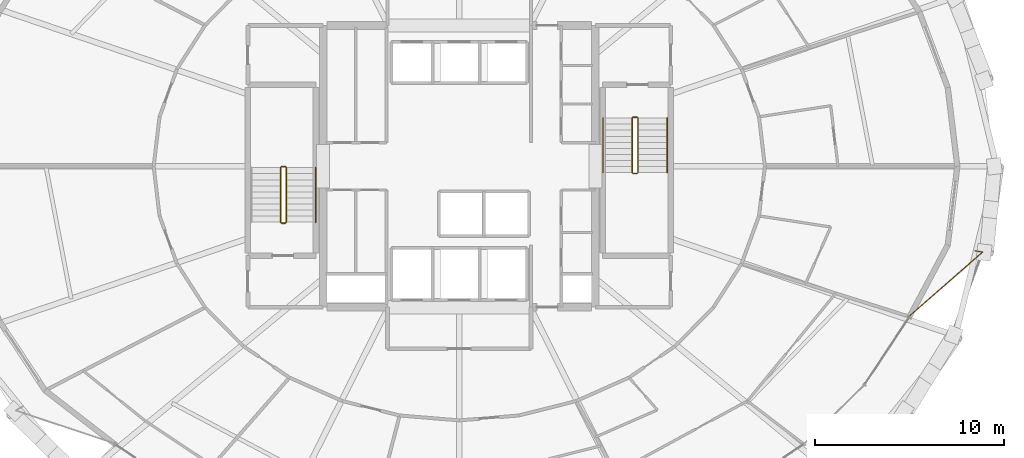
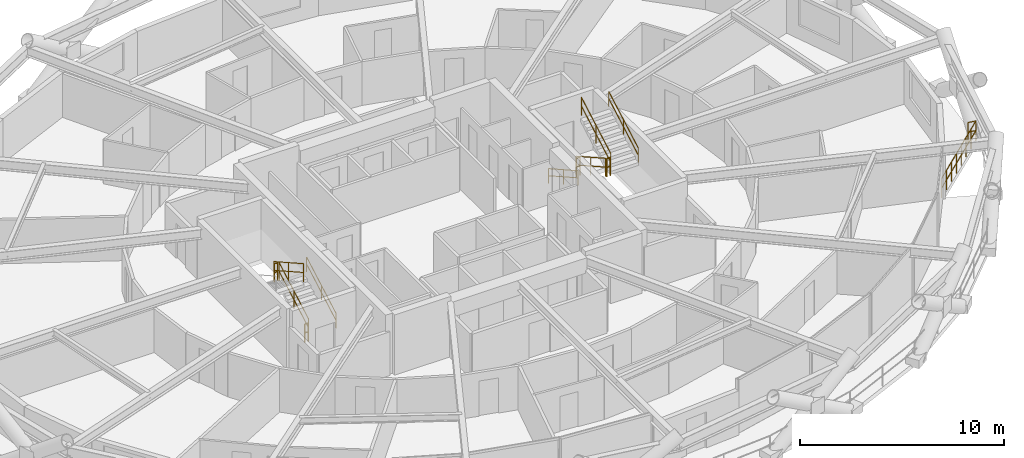
# One storey, part 20 of 20: 12 railings.
"""IFC4 building model written with IfcOpenShell, lengths in metres."""

from ifc_helpers import new_model, si_unit, direction, frame, origin, origin_2d, place, context, subcontext, project, spatial, circle, extrude, material, type_object, element, save


model = new_model("IFC4")

# Units and contexts
model_context = context("Model", 3, precision=1e-05, world=origin(), true_north=direction((0.0, 1.0)))
body_context = subcontext(model_context, "Body", "Model", "MODEL_VIEW")
ifc_project = project(units=[si_unit("LENGTHUNIT", "METRE"), si_unit("AREAUNIT", "SQUARE_METRE"), si_unit("VOLUMEUNIT", "CUBIC_METRE"), si_unit("PLANEANGLEUNIT", "RADIAN"), si_unit("MASSUNIT", "GRAM", prefix="KILO")], contexts=[model_context])

# Site, building, storey
site_placement = place(None, origin())
site = spatial("IfcSite", under=ifc_project, at=site_placement, CompositionType="ELEMENT")
building_placement = place(site_placement, origin())
building = spatial("IfcBuilding", under=site, at=building_placement, Name="Veldorina Hangang Commons", CompositionType="ELEMENT")
storey_placement = place(building_placement, frame((0.0, 0.0, 48.39990234375)))
storey = spatial("IfcBuildingStorey", under=building, at=storey_placement, Name="L11", CompositionType="ELEMENT", Elevation=48.39990234375)

# Railings
ifc_material_1 = material(Name="Glass Laminated Safety Balustrade", Category="glass")
railing_type_1 = type_object("IfcRailingType", Name="RL-BAL-LOGGIA", PredefinedType="BALUSTRADE", material=ifc_material_1)
railing_1_placement = place(storey_placement, frame((59.260986328125, 19.53564453125, 0.0)))
element("IfcRailing", 1, at=railing_1_placement, inside=storey, type_object=railing_type_1, Name="L11 sky-garden loggia end balustrade B", PredefinedType="BALUSTRADE", context=body_context, shape_type="SweptSolid", body=[
    extrude(circle(Radius=0.02392578125, at=origin_2d()), frame((0.0, 0.0, 1.17578125), z_axis=(0.9868459218, -0.161663621839, 0.0), x_axis=(0.161663621839, 0.9868459218, 0.0)), (0.0, 0.0, 1.0), 0.419921875),
    extrude(circle(Radius=0.02392578125, at=origin_2d()), frame((0.0, 0.0, 0.60009765625), z_axis=(0.9868459218, -0.161663621839, 0.0), x_axis=(0.161663621839, 0.9868459218, 0.0)), (0.0, 0.0, 1.0), 0.419921875),
    extrude(circle(Radius=0.02392578125, at=origin_2d()), frame((0.414306640625, -0.06787109375, 1.17578125), z_axis=(-0.752938873256, -0.658090459693, 0.0), x_axis=(0.658090459693, -0.752938873256, 0.0)), (0.0, 0.0, 1.0), 5.17626953125),
    extrude(circle(Radius=0.02392578125, at=origin_2d()), frame((0.414306640625, -0.06787109375, 0.60009765625), z_axis=(-0.752938873256, -0.658090459693, 0.0), x_axis=(0.658090459693, -0.752938873256, 0.0)), (0.0, 0.0, 1.0), 5.17626953125),
    extrude(circle(Radius=0.02099609375, at=origin_2d()), origin(), (0.0, 0.0, 1.0), 1.15185546875),
    extrude(circle(Radius=0.02099609375, at=origin_2d()), frame((0.414306640625, -0.06787109375, 0.0)), (0.0, 0.0, 1.0), 1.15185546875),
    extrude(circle(Radius=0.02099609375, at=origin_2d()), frame((-0.142578125, -0.554443359375, 0.0)), (0.0, 0.0, 1.0), 1.15185546875),
    extrude(circle(Radius=0.02099609375, at=origin_2d()), frame((-0.69921875, -1.041259765625, 0.0)), (0.0, 0.0, 1.0), 1.15185546875),
    extrude(circle(Radius=0.02099609375, at=origin_2d()), frame((-1.256103515625, -1.52783203125, 0.0)), (0.0, 0.0, 1.0), 1.15185546875),
    extrude(circle(Radius=0.02099609375, at=origin_2d()), frame((-1.812744140625, -2.014404296875, 0.0)), (0.0, 0.0, 1.0), 1.15185546875),
    extrude(circle(Radius=0.02099609375, at=origin_2d()), frame((-2.36962890625, -2.5009765625, 0.0)), (0.0, 0.0, 1.0), 1.15185546875),
    extrude(circle(Radius=0.02099609375, at=origin_2d()), frame((-2.92626953125, -2.98779296875, 0.0)), (0.0, 0.0, 1.0), 1.15185546875),
    extrude(circle(Radius=0.02099609375, at=origin_2d()), frame((-3.483154296875, -3.474365234375, 0.0)), (0.0, 0.0, 1.0), 1.15185546875),
])
ifc_material_2 = material(Name="Steel Painted Balustrade", Category="steel")
railing_type_2 = type_object("IfcRailingType", Name="RL-GRD-STAIR", PredefinedType="GUARDRAIL", material=ifc_material_2)
railing_2_placement = place(storey_placement, frame((22.85009765625, 21.050048828125, 0.18017578125)))
element("IfcRailing", 2, at=railing_2_placement, inside=storey, type_object=railing_type_2, Name="L11 ST-1 stair guard 1", PredefinedType="GUARDRAIL", context=body_context, shape_type="SweptSolid", body=[
    extrude(circle(Radius=0.02392578125, at=origin_2d()), frame((0.0, 0.0, 1.076171875), z_axis=(0.0, 0.871583430097, 0.490247207417), x_axis=(-1.0, 0.0, 0.0)), (0.0, 0.0, 1.0), 3.30419921875),
    extrude(circle(Radius=0.02392578125, at=origin_2d()), frame((0.0, 0.0, 0.550048828125), z_axis=(0.0, 0.871583430097, 0.490247207417), x_axis=(-1.0, 0.0, 0.0)), (0.0, 0.0, 1.0), 3.30419921875),
    extrude(circle(Radius=0.02099609375, at=origin_2d()), origin(), (0.0, 0.0, 1.0), 1.052001953125),
    extrude(circle(Radius=0.02099609375, at=origin_2d()), frame((0.0, 1.43994140625, 0.81005859375)), (0.0, 0.0, 1.0), 1.052001953125),
    extrude(circle(Radius=0.02099609375, at=origin_2d()), frame((0.0, 2.8798828125, 1.619873046875)), (0.0, 0.0, 1.0), 1.052001953125),
])
railing_3_placement = place(storey_placement, frame((22.800048828125, 23.97998046875, 1.800048828125)))
element("IfcRailing", 3, at=railing_3_placement, inside=storey, type_object=railing_type_2, Name="L11 ST-1 stair guard 2", PredefinedType="GUARDRAIL", context=body_context, shape_type="SweptSolid", body=[
    extrude(circle(Radius=0.02392578125, at=origin_2d()), frame((0.0, 0.0, 1.076171875), z_axis=(-1.0, 0.0, 0.0), x_axis=(0.0, -1.0, 0.0)), (0.0, 0.0, 1.0), 0.199951171875),
    extrude(circle(Radius=0.02392578125, at=origin_2d()), frame((0.0, 0.0, 0.550048828125), z_axis=(-1.0, 0.0, 0.0), x_axis=(0.0, -1.0, 0.0)), (0.0, 0.0, 1.0), 0.199951171875),
    extrude(circle(Radius=0.02099609375, at=origin_2d()), origin(), (0.0, 0.0, 1.0), 1.052001953125),
    extrude(circle(Radius=0.02099609375, at=origin_2d()), frame((-0.199951171875, 0.0, 0.0)), (0.0, 0.0, 1.0), 1.052001953125),
])
railing_4_placement = place(storey_placement, frame((22.550048828125, 23.929931640625, 1.97998046875)))
element("IfcRailing", 4, at=railing_4_placement, inside=storey, type_object=railing_type_2, Name="L11 ST-1 stair guard 3", PredefinedType="GUARDRAIL", context=body_context, shape_type="SweptSolid", body=[
    extrude(circle(Radius=0.02392578125, at=origin_2d()), frame((0.0, 0.0, 1.076171875), z_axis=(0.0, -0.87155185771, 0.490303333991), x_axis=(1.0, 0.0, 0.0)), (0.0, 0.0, 1.0), 3.30419921875),
    extrude(circle(Radius=0.02392578125, at=origin_2d()), frame((0.0, 0.0, 0.550048828125), z_axis=(0.0, -0.87155185771, 0.490303333991), x_axis=(1.0, 0.0, 0.0)), (0.0, 0.0, 1.0), 3.30419921875),
    extrude(circle(Radius=0.02099609375, at=origin_2d()), origin(), (0.0, 0.0, 1.0), 1.052001953125),
    extrude(circle(Radius=0.02099609375, at=origin_2d()), frame((0.0, -1.43994140625, 0.81005859375)), (0.0, 0.0, 1.0), 1.052001953125),
    extrude(circle(Radius=0.02099609375, at=origin_2d()), frame((0.0, -2.8798828125, 1.6201171875)), (0.0, 0.0, 1.0), 1.052001953125),
])
railing_5_placement = place(storey_placement, frame((22.800048828125, 21.0, 0.0)))
element("IfcRailing", 5, at=railing_5_placement, inside=storey, type_object=railing_type_2, Name="L11 ST-1 stair guard 4", PredefinedType="GUARDRAIL", context=body_context, shape_type="SweptSolid", body=[
    extrude(circle(Radius=0.02392578125, at=origin_2d()), frame((0.0, 0.0, 1.076171875), z_axis=(-1.0, 0.0, 0.0), x_axis=(0.0, -1.0, 0.0)), (0.0, 0.0, 1.0), 0.199951171875),
    extrude(circle(Radius=0.02392578125, at=origin_2d()), frame((0.0, 0.0, 0.550048828125), z_axis=(-1.0, 0.0, 0.0), x_axis=(0.0, -1.0, 0.0)), (0.0, 0.0, 1.0), 0.199951171875),
    extrude(circle(Radius=0.02099609375, at=origin_2d()), origin(), (0.0, 0.0, 1.0), 1.052001953125),
    extrude(circle(Radius=0.02099609375, at=origin_2d()), frame((-0.199951171875, 0.0, 0.0)), (0.0, 0.0, 1.0), 1.052001953125),
])
railing_6_placement = place(storey_placement, frame((41.14990234375, 26.550048828125, 0.18017578125)))
element("IfcRailing", 6, at=railing_6_placement, inside=storey, type_object=railing_type_2, Name="L11 ST-2 stair guard 1", PredefinedType="GUARDRAIL", context=body_context, shape_type="SweptSolid", body=[
    extrude(circle(Radius=0.02392578125, at=origin_2d()), frame((0.0, 0.0, 1.076171875), z_axis=(0.0, -0.871601186807, 0.490215637405), x_axis=(1.0, 0.0, 0.0)), (0.0, 0.0, 1.0), 3.304443359375),
    extrude(circle(Radius=0.02392578125, at=origin_2d()), frame((0.0, 0.0, 0.550048828125), z_axis=(0.0, -0.871601186807, 0.490215637405), x_axis=(1.0, 0.0, 0.0)), (0.0, 0.0, 1.0), 3.304443359375),
    extrude(circle(Radius=0.02099609375, at=origin_2d()), origin(), (0.0, 0.0, 1.0), 1.052001953125),
    extrude(circle(Radius=0.02099609375, at=origin_2d()), frame((0.0, -1.43994140625, 0.81005859375)), (0.0, 0.0, 1.0), 1.052001953125),
    extrude(circle(Radius=0.02099609375, at=origin_2d()), frame((0.0, -2.880126953125, 1.619873046875)), (0.0, 0.0, 1.0), 1.052001953125),
])
railing_7_placement = place(storey_placement, frame((41.199951171875, 23.6201171875, 1.800048828125)))
element("IfcRailing", 7, at=railing_7_placement, inside=storey, type_object=railing_type_2, Name="L11 ST-2 stair guard 2", PredefinedType="GUARDRAIL", context=body_context, shape_type="SweptSolid", body=[
    extrude(circle(Radius=0.02392578125, at=origin_2d()), frame((0.0, 0.0, 1.076171875), z_axis=(1.0, 0.0, 0.0), x_axis=(0.0, 1.0, 0.0)), (0.0, 0.0, 1.0), 0.199951171875),
    extrude(circle(Radius=0.02392578125, at=origin_2d()), frame((0.0, 0.0, 0.550048828125), z_axis=(1.0, 0.0, 0.0), x_axis=(0.0, 1.0, 0.0)), (0.0, 0.0, 1.0), 0.199951171875),
    extrude(circle(Radius=0.02099609375, at=origin_2d()), origin(), (0.0, 0.0, 1.0), 1.052001953125),
    extrude(circle(Radius=0.02099609375, at=origin_2d()), frame((0.199951171875, 0.0, 0.0)), (0.0, 0.0, 1.0), 1.052001953125),
])
railing_8_placement = place(storey_placement, frame((41.449951171875, 23.669921875, 1.97998046875)))
element("IfcRailing", 8, at=railing_8_placement, inside=storey, type_object=railing_type_2, Name="L11 ST-2 stair guard 3", PredefinedType="GUARDRAIL", context=body_context, shape_type="SweptSolid", body=[
    extrude(circle(Radius=0.02392578125, at=origin_2d()), frame((0.0, 0.0, 1.076171875), z_axis=(0.0, 0.871569617843, 0.490271762652), x_axis=(-1.0, 0.0, 0.0)), (0.0, 0.0, 1.0), 3.304443359375),
    extrude(circle(Radius=0.02392578125, at=origin_2d()), frame((0.0, 0.0, 0.550048828125), z_axis=(0.0, 0.871569617843, 0.490271762652), x_axis=(-1.0, 0.0, 0.0)), (0.0, 0.0, 1.0), 3.304443359375),
    extrude(circle(Radius=0.02099609375, at=origin_2d()), origin(), (0.0, 0.0, 1.0), 1.052001953125),
    extrude(circle(Radius=0.02099609375, at=origin_2d()), frame((0.0, 1.43994140625, 0.81005859375)), (0.0, 0.0, 1.0), 1.052001953125),
    extrude(circle(Radius=0.02099609375, at=origin_2d()), frame((0.0, 2.880126953125, 1.6201171875)), (0.0, 0.0, 1.0), 1.052001953125),
])
railing_9_placement = place(storey_placement, frame((41.199951171875, 26.60009765625, 0.0)))
element("IfcRailing", 9, at=railing_9_placement, inside=storey, type_object=railing_type_2, Name="L11 ST-2 stair guard 4", PredefinedType="GUARDRAIL", context=body_context, shape_type="SweptSolid", body=[
    extrude(circle(Radius=0.02392578125, at=origin_2d()), frame((0.0, 0.0, 1.076171875), z_axis=(1.0, 0.0, 0.0), x_axis=(0.0, 1.0, 0.0)), (0.0, 0.0, 1.0), 0.199951171875),
    extrude(circle(Radius=0.02392578125, at=origin_2d()), frame((0.0, 0.0, 0.550048828125), z_axis=(1.0, 0.0, 0.0), x_axis=(0.0, 1.0, 0.0)), (0.0, 0.0, 1.0), 0.199951171875),
    extrude(circle(Radius=0.02099609375, at=origin_2d()), origin(), (0.0, 0.0, 1.0), 1.052001953125),
    extrude(circle(Radius=0.02099609375, at=origin_2d()), frame((0.199951171875, 0.0, 0.0)), (0.0, 0.0, 1.0), 1.052001953125),
])
ifc_material_3 = material(Name="Stainless Steel Brushed 316", Category="steel")
railing_type_3 = type_object("IfcRailingType", Name="RL-HND-STAIR", PredefinedType="HANDRAIL", material=ifc_material_3)
railing_10_placement = place(storey_placement, frame((24.39990234375, 21.050048828125, 0.18017578125)))
element("IfcRailing", 10, at=railing_10_placement, inside=storey, type_object=railing_type_3, Name="L11 ST-1 stair handrail 1", PredefinedType="HANDRAIL", context=body_context, shape_type="SweptSolid", body=[
    extrude(circle(Radius=0.02392578125, at=origin_2d()), frame((0.0, 0.0, 0.8759765625), z_axis=(0.0, 0.871583430097, 0.490247207417), x_axis=(-1.0, 0.0, 0.0)), (0.0, 0.0, 1.0), 3.30419921875),
    extrude(circle(Radius=0.02392578125, at=origin_2d()), frame((0.0, 0.0, 0.449951171875), z_axis=(0.0, 0.871583430097, 0.490247207417), x_axis=(-1.0, 0.0, 0.0)), (0.0, 0.0, 1.0), 3.30419921875),
    extrude(circle(Radius=0.02099609375, at=origin_2d()), origin(), (0.0, 0.0, 1.0), 0.851806640625),
    extrude(circle(Radius=0.02099609375, at=origin_2d()), frame((0.0, 1.43994140625, 0.81005859375)), (0.0, 0.0, 1.0), 0.851806640625),
    extrude(circle(Radius=0.02099609375, at=origin_2d()), frame((0.0, 2.8798828125, 1.619873046875)), (0.0, 0.0, 1.0), 0.851806640625),
])
railing_11_placement = place(storey_placement, frame((39.60009765625, 26.550048828125, 0.18017578125)))
element("IfcRailing", 11, at=railing_11_placement, inside=storey, type_object=railing_type_3, Name="L11 ST-2 stair handrail 1", PredefinedType="HANDRAIL", context=body_context, shape_type="SweptSolid", body=[
    extrude(circle(Radius=0.02392578125, at=origin_2d()), frame((0.0, 0.0, 0.8759765625), z_axis=(0.0, -0.871601186807, 0.490215637405), x_axis=(1.0, 0.0, 0.0)), (0.0, 0.0, 1.0), 3.304443359375),
    extrude(circle(Radius=0.02392578125, at=origin_2d()), frame((0.0, 0.0, 0.449951171875), z_axis=(0.0, -0.871601186807, 0.490215637405), x_axis=(1.0, 0.0, 0.0)), (0.0, 0.0, 1.0), 3.304443359375),
    extrude(circle(Radius=0.02099609375, at=origin_2d()), origin(), (0.0, 0.0, 1.0), 0.851806640625),
    extrude(circle(Radius=0.02099609375, at=origin_2d()), frame((0.0, -1.43994140625, 0.81005859375)), (0.0, 0.0, 1.0), 0.851806640625),
    extrude(circle(Radius=0.02099609375, at=origin_2d()), frame((0.0, -2.880126953125, 1.619873046875)), (0.0, 0.0, 1.0), 0.851806640625),
])
railing_12_placement = place(storey_placement, frame((43.0, 23.669921875, 1.97998046875)))
element("IfcRailing", 12, at=railing_12_placement, inside=storey, type_object=railing_type_3, Name="L11 ST-2 stair handrail 2", PredefinedType="HANDRAIL", context=body_context, shape_type="SweptSolid", body=[
    extrude(circle(Radius=0.02392578125, at=origin_2d()), frame((0.0, 0.0, 0.8759765625), z_axis=(0.0, 0.871569617843, 0.490271762652), x_axis=(-1.0, 0.0, 0.0)), (0.0, 0.0, 1.0), 3.304443359375),
    extrude(circle(Radius=0.02392578125, at=origin_2d()), frame((0.0, 0.0, 0.449951171875), z_axis=(0.0, 0.871569617843, 0.490271762652), x_axis=(-1.0, 0.0, 0.0)), (0.0, 0.0, 1.0), 3.304443359375),
    extrude(circle(Radius=0.02099609375, at=origin_2d()), origin(), (0.0, 0.0, 1.0), 0.851806640625),
    extrude(circle(Radius=0.02099609375, at=origin_2d()), frame((0.0, 1.43994140625, 0.81005859375)), (0.0, 0.0, 1.0), 0.851806640625),
    extrude(circle(Radius=0.02099609375, at=origin_2d()), frame((0.0, 2.880126953125, 1.6201171875)), (0.0, 0.0, 1.0), 0.851806640625),
])

save(model, "model.ifc")
